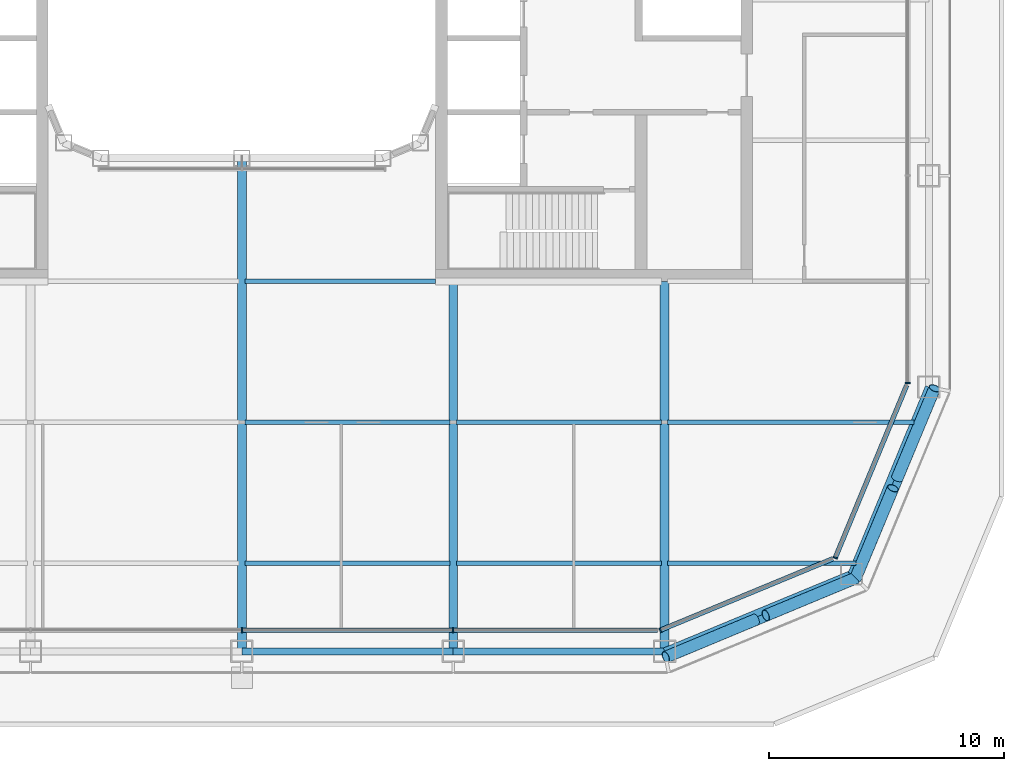
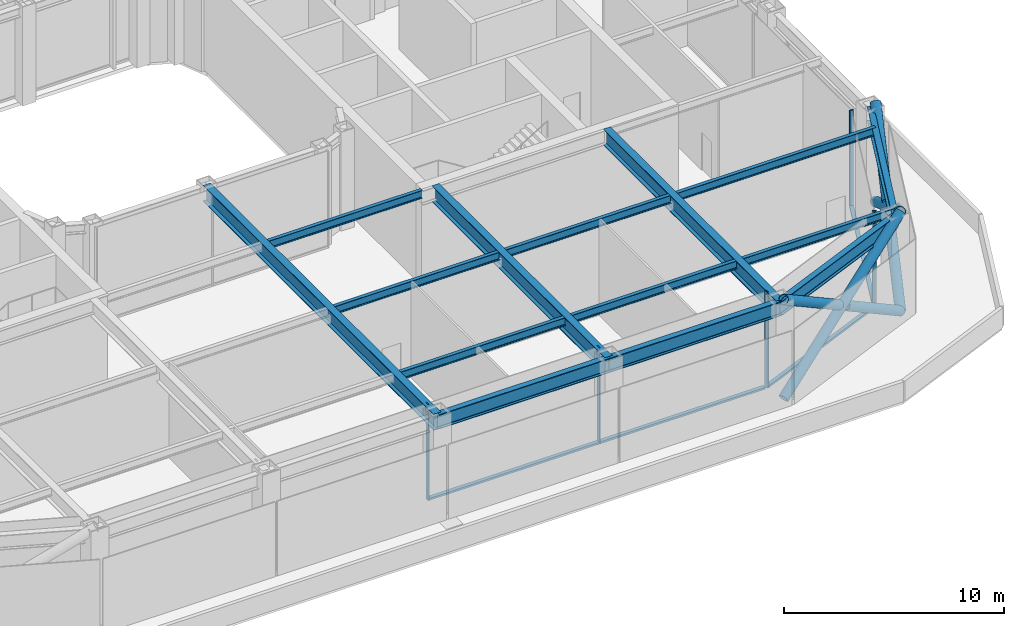
# One storey, part 4 of 21: 15 members, 14 beams, 4 elements without a shape of their own.
"""IFC4 building model written with IfcOpenShell, lengths in metres."""

from ifc_helpers import new_model, si_unit, direction, frame, origin, origin_2d, place, context, subcontext, project, spatial, rectangle, hollow_circle, i_section, extrude, material, layer, layer_set, material_profile, profile_set, type_object, element, aggregate, save


model = new_model("IFC4")

# Units and contexts
model_context = context("Model", 3, precision=1e-05, world=origin(), true_north=direction((0.0, 1.0)))
body_context = subcontext(model_context, "Body", "Model", "MODEL_VIEW")
ifc_project = project(units=[si_unit("LENGTHUNIT", "METRE"), si_unit("AREAUNIT", "SQUARE_METRE"), si_unit("VOLUMEUNIT", "CUBIC_METRE"), si_unit("PLANEANGLEUNIT", "RADIAN"), si_unit("MASSUNIT", "GRAM", prefix="KILO")], contexts=[model_context])

# Site, building, storey
site_placement = place(None, origin())
site = spatial("IfcSite", under=ifc_project, at=site_placement, CompositionType="ELEMENT")
building_placement = place(site_placement, origin())
building = spatial("IfcBuilding", under=site, at=building_placement, Name="Siwar Civic Tower", CompositionType="ELEMENT")
storey_placement = place(building_placement, frame((0.0, 0.0, 99.199951171875)))
storey = spatial("IfcBuildingStorey", under=building, at=storey_placement, Name="L21", CompositionType="ELEMENT", Elevation=99.199951171875)

# Curtain wall, members
ifc_material_1 = material(Name="Aluminium and glass", Category="aluminium")
ifc_layer_1 = layer(ifc_material_1, 0.199951171875)
ifc_layer_set_1 = layer_set([ifc_layer_1], Name="Aluminium and glass")
curtain_wall_type_1 = type_object("IfcCurtainWallType", Name="ENV-CW-B", PredefinedType="NOTDEFINED", material=ifc_layer_set_1)
curtain_wall_1_placement = place(storey_placement, origin())
curtain_wall_1 = element("IfcCurtainWall", 1, at=curtain_wall_1_placement, inside=storey, type_object=curtain_wall_type_1, Name="Curtain wall B S", PredefinedType="NOTDEFINED")
ifc_material_2 = material(Name="Aluminium 6063-T6", Category="aluminium")
ifc_material_profile_1 = material_profile(ifc_material_2, rectangle(XDim=0.199951171875, YDim=0.06494140625, at=origin_2d()), Name="AL 200x65")
ifc_profile_set_1 = profile_set([ifc_material_profile_1], Name="Aluminium 6063-T6")
member_type_1 = type_object("IfcMemberType", Name="ENV-MULLION-B", PredefinedType="MULLION", material=ifc_profile_set_1)
member_1_placement = place(storey_placement, frame((0.0, -28.35009765625, 0.0), z_axis=(0.0, 0.0, 1.0), x_axis=(0.0, 1.0, 0.0)))
member_1 = element("IfcMember", 2, at=member_1_placement, type_object=member_type_1, Name="Mullion B S 3", PredefinedType="MULLION", context=body_context, shape_type="SweptSolid", body=[
    extrude(rectangle(XDim=0.199951171875, YDim=0.06494140625, at=origin_2d()), origin(), (0.0, 0.0, 1.0), 5.35009765625),
])
member_2_placement = place(storey_placement, frame((9.0, -28.35009765625, 0.0), z_axis=(0.0, 0.0, 1.0), x_axis=(0.0, 1.0, 0.0)))
member_2 = element("IfcMember", 3, at=member_2_placement, type_object=member_type_1, Name="Mullion B S 4", PredefinedType="MULLION", context=body_context, shape_type="SweptSolid", body=[
    extrude(rectangle(XDim=0.199951171875, YDim=0.06494140625, at=origin_2d()), origin(), (0.0, 0.0, 1.0), 5.35009765625),
])

# Curtain wall, member
ifc_material_3 = material(Name="Aluminium clad insulated panel", Category="aluminium")
ifc_layer_2 = layer(ifc_material_3, 0.199951171875)
ifc_layer_set_2 = layer_set([ifc_layer_2], Name="Aluminium clad insulated panel")
curtain_wall_type_2 = type_object("IfcCurtainWallType", Name="ENV-CW-BX", PredefinedType="NOTDEFINED", material=ifc_layer_set_2)
curtain_wall_2_placement = place(storey_placement, origin())
curtain_wall_2 = element("IfcCurtainWall", 4, at=curtain_wall_2_placement, inside=storey, type_object=curtain_wall_type_2, Name="Curtain wall B SE1", PredefinedType="NOTDEFINED")
member_3_placement = place(storey_placement, frame((17.821044921875, -28.35009765625, 0.0), z_axis=(0.0, 0.0, 1.0), x_axis=(-0.382683432365, 0.923879532511, 0.0)))
member_3 = element("IfcMember", 5, at=member_3_placement, type_object=member_type_1, Name="Mullion B SE1 1", PredefinedType="MULLION", context=body_context, shape_type="SweptSolid", body=[
    extrude(rectangle(XDim=0.199951171875, YDim=0.06494140625, at=origin_2d()), origin(), (0.0, 0.0, 1.0), 5.35009765625),
])

curtain_wall_3_placement = place(storey_placement, origin())
curtain_wall_3 = element("IfcCurtainWall", 6, at=curtain_wall_3_placement, inside=storey, type_object=curtain_wall_type_2, Name="Curtain wall B SE2", PredefinedType="NOTDEFINED")
member_4_placement = place(storey_placement, frame((25.26611328125, -25.26611328125, 0.0), z_axis=(0.0, 0.0, 1.0), x_axis=(-0.923879532511, 0.382683432365, 0.0)))
member_4 = element("IfcMember", 7, at=member_4_placement, type_object=member_type_1, Name="Mullion B SE2 1", PredefinedType="MULLION", context=body_context, shape_type="SweptSolid", body=[
    extrude(rectangle(XDim=0.199951171875, YDim=0.06494140625, at=origin_2d()), origin(), (0.0, 0.0, 1.0), 5.35009765625),
])

curtain_wall_4_placement = place(storey_placement, origin())
curtain_wall_4 = element("IfcCurtainWall", 8, at=curtain_wall_4_placement, inside=storey, type_object=curtain_wall_type_1, Name="Curtain wall B E", PredefinedType="NOTDEFINED")
member_5_placement = place(storey_placement, frame((28.35009765625, -17.821044921875, 0.0), z_axis=(0.0, 0.0, 1.0), x_axis=(-1.0, 0.0, 0.0)))
member_5 = element("IfcMember", 9, at=member_5_placement, type_object=member_type_1, Name="Mullion B E 1", PredefinedType="MULLION", context=body_context, shape_type="SweptSolid", body=[
    extrude(rectangle(XDim=0.199951171875, YDim=0.06494140625, at=origin_2d()), origin(), (0.0, 0.0, 1.0), 5.35009765625),
])
aggregate(curtain_wall_4, [member_5])

# Member
ifc_material_4 = material(Name="Aluminium 6063-T6", Category="aluminium")
ifc_material_profile_2 = material_profile(ifc_material_4, rectangle(XDim=0.199951171875, YDim=0.110107421875, at=origin_2d()), Name="AL 200x110")
ifc_profile_set_2 = profile_set([ifc_material_profile_2], Name="Aluminium 6063-T6")
member_type_2 = type_object("IfcMemberType", Name="ENV-TRANSOM-B", PredefinedType="USERDEFINED", material=ifc_profile_set_2)
member_6_placement = place(storey_placement, frame((0.032470703125, -28.35009765625, 0.054931640625), z_axis=(1.0, 0.0, 0.0), x_axis=(0.0, 1.0, 0.0)))
member_6 = element("IfcMember", 10, at=member_6_placement, type_object=member_type_2, Name="Transom B S 3", ObjectType="TRANSOM", PredefinedType="USERDEFINED", context=body_context, shape_type="SweptSolid", body=[
    extrude(rectangle(XDim=0.199951171875, YDim=0.110107421875, at=origin_2d()), origin(), (0.0, 0.0, 1.0), 8.93505859375),
])

member_7_placement = place(storey_placement, frame((9.032470703125, -28.35009765625, 0.054931640625), z_axis=(1.0, 0.0, 0.0), x_axis=(0.0, 1.0, 0.0)))
member_7 = element("IfcMember", 11, at=member_7_placement, type_object=member_type_2, Name="Transom B S 4", ObjectType="TRANSOM", PredefinedType="USERDEFINED", context=body_context, shape_type="SweptSolid", body=[
    extrude(rectangle(XDim=0.199951171875, YDim=0.110107421875, at=origin_2d()), origin(), (0.0, 0.0, 1.0), 8.6748046875),
])

aggregate(curtain_wall_1, [member_1, member_2, member_6, member_7])

member_8_placement = place(storey_placement, frame((17.85107421875, -28.337646484375, 0.054931640625), z_axis=(0.92387279587, 0.382699695651, 0.0), x_axis=(-0.382699695651, 0.92387279587, 0.0)))
member_8 = element("IfcMember", 12, at=member_8_placement, type_object=member_type_2, Name="Transom B SE1 1", ObjectType="TRANSOM", PredefinedType="USERDEFINED", context=body_context, shape_type="SweptSolid", body=[
    extrude(rectangle(XDim=0.199951171875, YDim=0.110107421875, at=origin_2d()), origin(), (0.0, 0.0, 1.0), 7.912353515625),
])

aggregate(curtain_wall_2, [member_3, member_8])

member_9_placement = place(storey_placement, frame((25.278564453125, -25.236083984375, 0.054931640625), z_axis=(0.382673358825, 0.923883705044, 0.0), x_axis=(-0.923883705044, 0.382673358825, 0.0)))
member_9 = element("IfcMember", 13, at=member_9_placement, type_object=member_type_2, Name="Transom B SE2 1", ObjectType="TRANSOM", PredefinedType="USERDEFINED", context=body_context, shape_type="SweptSolid", body=[
    extrude(rectangle(XDim=0.199951171875, YDim=0.110107421875, at=origin_2d()), origin(), (0.0, 0.0, 1.0), 7.912353515625),
])

aggregate(curtain_wall_3, [member_4, member_9])

# Members
ifc_material_5 = material(Name="Steel S355", Category="steel")
ifc_material_profile_3 = material_profile(ifc_material_5, hollow_circle(Radius=0.25390625, WallThickness=0.02490234375, at=origin_2d()), Name="CHS508x25")
ifc_profile_set_3 = profile_set([ifc_material_profile_3], Name="Steel S355")
member_type_3 = type_object("IfcMemberType", Name="STR-BR-CHS508x25", PredefinedType="BRACE", material=ifc_profile_set_3)
member_10_placement = place(storey_placement, frame((29.4951171875, -18.048828125, 0.0), z_axis=(-0.325297769627, -0.781791416726, 0.531961974025), x_axis=(0.923264922524, -0.384163874976, 0.0)))
element("IfcMember", 14, at=member_10_placement, inside=storey, type_object=member_type_3, Name="L21/brc/BSE1-0-0-1", PredefinedType="BRACE", context=body_context, shape_type="SweptSolid", body=[
    extrude(hollow_circle(Radius=0.25390625, WallThickness=0.02490234375, at=origin_2d()), origin(), (0.0, 0.0, 1.0), 10.339111328125),
])
member_11_placement = place(storey_placement, frame((26.1318359375, -26.1318359375, 0.0), z_axis=(0.32528364531, 0.781798459077, 0.531960261183), x_axis=(-0.923272065995, 0.38414670655, 0.0)))
element("IfcMember", 15, at=member_11_placement, inside=storey, type_object=member_type_3, Name="L21/brc/BSE1-0-0-2", PredefinedType="BRACE", context=body_context, shape_type="SweptSolid", body=[
    extrude(hollow_circle(Radius=0.25390625, WallThickness=0.02490234375, at=origin_2d()), origin(), (0.0, 0.0, 1.0), 4.892822265625),
])
member_12_placement = place(storey_placement, frame((27.903564453125, -21.873779296875, 2.8974609375), z_axis=(0.325304970127, 0.781799810857, 0.531945234169), x_axis=(-0.923263369469, 0.384167607428, 0.0)))
element("IfcMember", 16, at=member_12_placement, inside=storey, type_object=member_type_3, Name="L21/brc/BSE1-0-0-3", PredefinedType="BRACE", context=body_context, shape_type="SweptSolid", body=[
    extrude(hollow_circle(Radius=0.25390625, WallThickness=0.02490234375, at=origin_2d()), origin(), (0.0, 0.0, 1.0), 4.892578125),
])
member_13_placement = place(storey_placement, frame((18.048828125, -29.4951171875, 0.0), z_axis=(0.781791416726, 0.325297769627, 0.531961974025), x_axis=(-0.384163874976, 0.923264922524, 0.0)))
element("IfcMember", 17, at=member_13_placement, inside=storey, type_object=member_type_3, Name="L21/brc/BSE1-0-0-0", PredefinedType="BRACE", context=body_context, shape_type="SweptSolid", body=[
    extrude(hollow_circle(Radius=0.25390625, WallThickness=0.02490234375, at=origin_2d()), origin(), (0.0, 0.0, 1.0), 10.339111328125),
])
member_14_placement = place(storey_placement, frame((26.1318359375, -26.1318359375, 0.0), z_axis=(-0.781798459077, -0.32528364531, 0.531960261183), x_axis=(0.38414670655, -0.923272065995, 0.0)))
element("IfcMember", 18, at=member_14_placement, inside=storey, type_object=member_type_3, Name="L21/brc/BSE1-0-0-4", PredefinedType="BRACE", context=body_context, shape_type="SweptSolid", body=[
    extrude(hollow_circle(Radius=0.25390625, WallThickness=0.02490234375, at=origin_2d()), origin(), (0.0, 0.0, 1.0), 4.892822265625),
])
member_15_placement = place(storey_placement, frame((21.873779296875, -27.903564453125, 2.8974609375), z_axis=(-0.781799810857, -0.325304970127, 0.531945234169), x_axis=(0.384167607428, -0.923263369469, 0.0)))
element("IfcMember", 19, at=member_15_placement, inside=storey, type_object=member_type_3, Name="L21/brc/BSE1-0-0-5", PredefinedType="BRACE", context=body_context, shape_type="SweptSolid", body=[
    extrude(hollow_circle(Radius=0.25390625, WallThickness=0.02490234375, at=origin_2d()), origin(), (0.0, 0.0, 1.0), 4.892578125),
])

# Beams
ifc_material_6 = material(Name="Steel S355", Category="steel")
ifc_material_profile_4 = material_profile(ifc_material_6, i_section(OverallWidth=0.18994140625, OverallDepth=0.449951171875, WebThickness=0.009521484375, FlangeThickness=0.0146484375, FilletRadius=0.02099609375, at=origin_2d()), Name="IPE450")
ifc_profile_set_4 = profile_set([ifc_material_profile_4], Name="Steel S355")
beam_type_1 = type_object("IfcBeamType", Name="STR-FB-IPE450", PredefinedType="JOIST", material=ifc_profile_set_4)
for number, where, z_axis, x_axis, name in (
    (20, (0.1298828125, -25.5, 5.125), (1.0, 0.0, 0.0), (0.0, 1.0, 0.0), "L21/bm/F004"),
    (21, (9.1298828125, -25.5, 5.125), (1.0, 0.0, 0.0), (0.0, 1.0, 0.0), "L21/bm/F005"),
):
    element("IfcBeam", number, at=place(storey_placement, frame(where, z_axis=z_axis, x_axis=x_axis)), inside=storey, type_object=beam_type_1, Name=name, PredefinedType="JOIST", context=body_context, shape_type="SweptSolid", body=[
        extrude(i_section(OverallWidth=0.18994140625, OverallDepth=0.449951171875, WebThickness=0.009521484375, FlangeThickness=0.0146484375, FilletRadius=0.02099609375, at=origin_2d()), origin(), (0.0, 0.0, 1.0), 8.740234375),
    ])
beam_1_placement = place(storey_placement, frame((18.1298828125, -25.5, 5.125), z_axis=(1.0, 0.0, 0.0), x_axis=(0.0, 1.0, 0.0)))
element("IfcBeam", 22, at=beam_1_placement, inside=storey, type_object=beam_type_1, Name="L21/bm/F006", PredefinedType="JOIST", context=body_context, shape_type="SweptSolid", body=[
    extrude(i_section(OverallWidth=0.18994140625, OverallDepth=0.449951171875, WebThickness=0.009521484375, FlangeThickness=0.0146484375, FilletRadius=0.02099609375, at=origin_2d()), origin(), (0.0, 0.0, 1.0), 8.013427734375),
])
for number, where, z_axis, x_axis, name in (
    (23, (0.1298828125, -19.5, 5.125), (1.0, 0.0, 0.0), (0.0, 1.0, 0.0), "L21/bm/F010"),
    (24, (9.1298828125, -19.5, 5.125), (1.0, 0.0, 0.0), (0.0, 1.0, 0.0), "L21/bm/F011"),
):
    element("IfcBeam", number, at=place(storey_placement, frame(where, z_axis=z_axis, x_axis=x_axis)), inside=storey, type_object=beam_type_1, Name=name, PredefinedType="JOIST", context=body_context, shape_type="SweptSolid", body=[
        extrude(i_section(OverallWidth=0.18994140625, OverallDepth=0.449951171875, WebThickness=0.009521484375, FlangeThickness=0.0146484375, FilletRadius=0.02099609375, at=origin_2d()), origin(), (0.0, 0.0, 1.0), 8.740234375),
    ])
beam_2_placement = place(storey_placement, frame((18.1298828125, -19.5, 5.125), z_axis=(1.0, 0.0, 0.0), x_axis=(0.0, 1.0, 0.0)))
element("IfcBeam", 25, at=beam_2_placement, inside=storey, type_object=beam_type_1, Name="L21/bm/F012", PredefinedType="JOIST", context=body_context, shape_type="SweptSolid", body=[
    extrude(i_section(OverallWidth=0.18994140625, OverallDepth=0.449951171875, WebThickness=0.009521484375, FlangeThickness=0.0146484375, FilletRadius=0.02099609375, at=origin_2d()), origin(), (0.0, 0.0, 1.0), 10.498779296875),
])
beam_3_placement = place(storey_placement, frame((0.1298828125, -13.5, 5.125), z_axis=(1.0, 0.0, 0.0), x_axis=(0.0, 1.0, 0.0)))
element("IfcBeam", 26, at=beam_3_placement, inside=storey, type_object=beam_type_1, Name="L21/bm/F017", PredefinedType="JOIST", context=body_context, shape_type="SweptSolid", body=[
    extrude(i_section(OverallWidth=0.18994140625, OverallDepth=0.449951171875, WebThickness=0.009521484375, FlangeThickness=0.0146484375, FilletRadius=0.02099609375, at=origin_2d()), origin(), (0.0, 0.0, 1.0), 8.1201171875),
])
ifc_material_7 = material(Name="Steel S355", Category="steel")
ifc_material_profile_5 = material_profile(ifc_material_7, i_section(OverallWidth=0.3798828125, OverallDepth=0.89990234375, WebThickness=0.01611328125, FlangeThickness=0.035888671875, at=origin_2d()), Name="PG900x380x16x36")
ifc_profile_set_5 = profile_set([ifc_material_profile_5], Name="Steel S355")
beam_type_2 = type_object("IfcBeamType", Name="STR-PG-PG900x380x16x36", PredefinedType="BEAM", material=ifc_profile_set_5)
beam_4_placement = place(storey_placement, frame((0.0, -29.25, 4.900146484375), z_axis=(0.0, 1.0, 0.0), x_axis=(-1.0, 0.0, 0.0)))
element("IfcBeam", 27, at=beam_4_placement, inside=storey, type_object=beam_type_2, Name="L21/bm/G05", PredefinedType="BEAM", context=body_context, shape_type="SweptSolid", body=[
    extrude(i_section(OverallWidth=0.3798828125, OverallDepth=0.89990234375, WebThickness=0.01611328125, FlangeThickness=0.035888671875, at=origin_2d()), origin(), (0.0, 0.0, 1.0), 21.0),
])
for number, where, z_axis, x_axis, name in (
    (28, (9.0, -29.25, 4.900146484375), (0.0, 1.0, 0.0), (-1.0, 0.0, 0.0), "L21/bm/G07"),
    (29, (18.0, -29.25, 4.900146484375), (0.0, 1.0, 0.0), (-1.0, 0.0, 0.0), "L21/bm/G09"),
):
    element("IfcBeam", number, at=place(storey_placement, frame(where, z_axis=z_axis, x_axis=x_axis)), inside=storey, type_object=beam_type_2, Name=name, PredefinedType="BEAM", context=body_context, shape_type="SweptSolid", body=[
        extrude(i_section(OverallWidth=0.3798828125, OverallDepth=0.89990234375, WebThickness=0.01611328125, FlangeThickness=0.035888671875, at=origin_2d()), origin(), (0.0, 0.0, 1.0), 15.75),
    ])
ifc_material_8 = material(Name="Steel S355", Category="steel")
ifc_material_profile_6 = material_profile(ifc_material_8, i_section(OverallWidth=0.300048828125, OverallDepth=0.800048828125, WebThickness=0.017578125, FlangeThickness=0.032958984375, FilletRadius=0.030029296875, at=origin_2d()), Name="HEB800")
ifc_profile_set_6 = profile_set([ifc_material_profile_6], Name="Steel S355")
beam_type_3 = type_object("IfcBeamType", Name="STR-SB-HEB800", PredefinedType="BEAM", material=ifc_profile_set_6)
for number, where, z_axis, x_axis, name in (
    (30, (0.0, -29.25, 4.949951171875), (1.0, 0.0, 0.0), (0.0, 1.0, 0.0), "L21/bm/SS-2"),
    (31, (9.0, -29.25, 4.949951171875), (1.0, 0.0, 0.0), (0.0, 1.0, 0.0), "L21/bm/SS-3"),
):
    element("IfcBeam", number, at=place(storey_placement, frame(where, z_axis=z_axis, x_axis=x_axis)), inside=storey, type_object=beam_type_3, Name=name, PredefinedType="BEAM", context=body_context, shape_type="SweptSolid", body=[
        extrude(i_section(OverallWidth=0.300048828125, OverallDepth=0.800048828125, WebThickness=0.017578125, FlangeThickness=0.032958984375, FilletRadius=0.030029296875, at=origin_2d()), origin(), (0.0, 0.0, 1.0), 9.0),
    ])
for number, where, z_axis, x_axis, name in (
    (32, (18.0, -29.25, 4.949951171875), (0.923872720536, 0.382699877515, 0.0), (-0.382699877515, 0.923872720536, 0.0), "L21/bm/SSE1-0"),
    (33, (25.954833984375, -25.954833984375, 4.949951171875), (0.382699877515, 0.923872720536, 0.0), (-0.923872720536, 0.382699877515, 0.0), "L21/bm/SSE2-0"),
):
    element("IfcBeam", number, at=place(storey_placement, frame(where, z_axis=z_axis, x_axis=x_axis)), inside=storey, type_object=beam_type_3, Name=name, PredefinedType="BEAM", context=body_context, shape_type="SweptSolid", body=[
        extrude(i_section(OverallWidth=0.300048828125, OverallDepth=0.800048828125, WebThickness=0.017578125, FlangeThickness=0.032958984375, FilletRadius=0.030029296875, at=origin_2d()), origin(), (0.0, 0.0, 1.0), 8.6103515625),
    ])

save(model, "model.ifc")
